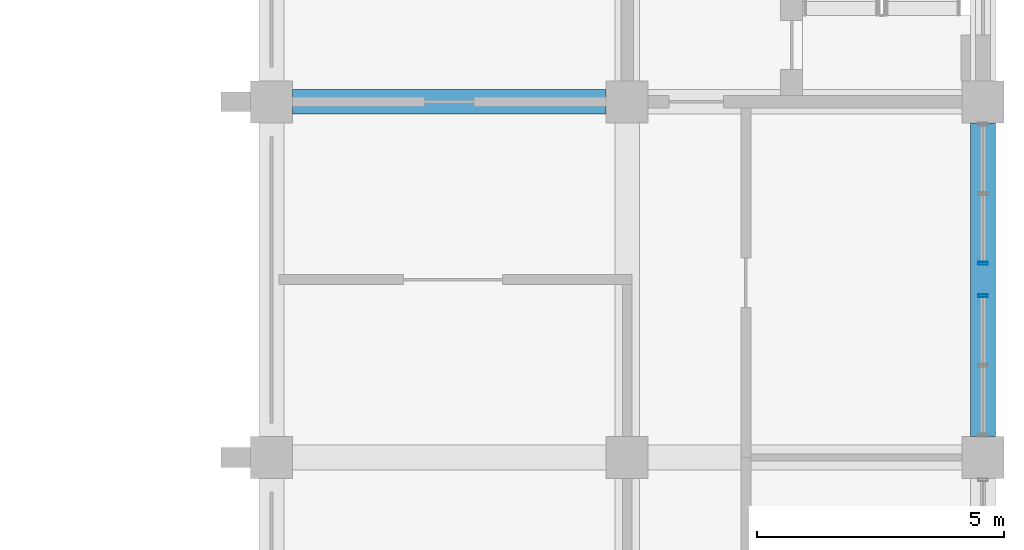
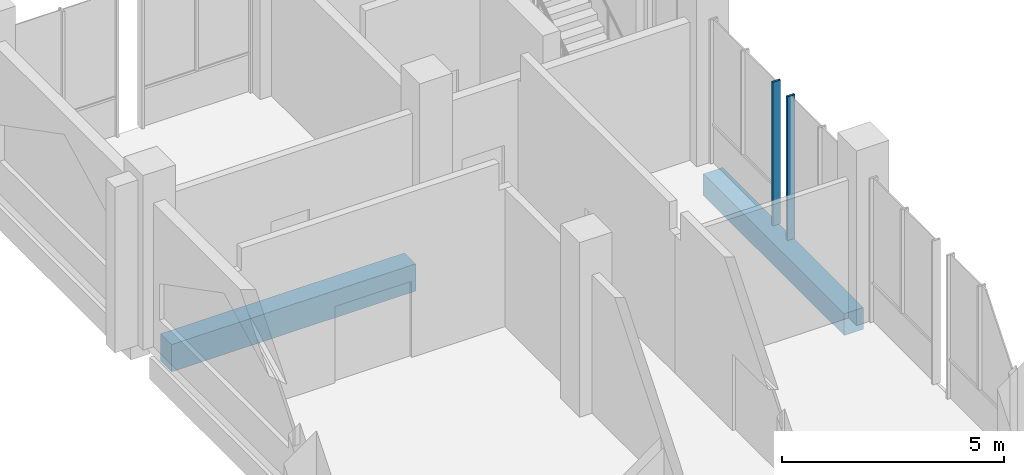
# One storey, part 21 of 40: 2 beams, 2 members, 2 elements without a shape of their own.
"""IFC4 building model written with IfcOpenShell, lengths in metres."""

from ifc_helpers import new_model, si_unit, direction, frame, origin, origin_2d, place, context, subcontext, project, spatial, rectangle, hollow_rectangle, extrude, material, material_profile, profile_set, type_object, element, aggregate, save


model = new_model("IFC4")

# Units and contexts
model_context = context("Model", 3, precision=1e-05, world=origin(), true_north=direction((0.0, 1.0)))
body_context = subcontext(model_context, "Body", "Model", "MODEL_VIEW")
ifc_project = project(units=[si_unit("LENGTHUNIT", "METRE"), si_unit("AREAUNIT", "SQUARE_METRE"), si_unit("VOLUMEUNIT", "CUBIC_METRE"), si_unit("PLANEANGLEUNIT", "RADIAN"), si_unit("MASSUNIT", "GRAM", prefix="KILO")], contexts=[model_context])

# Site, building, storey
site_placement = place(None, origin())
site = spatial("IfcSite", under=ifc_project, at=site_placement, CompositionType="ELEMENT")
building_placement = place(site_placement, origin())
building = spatial("IfcBuilding", under=site, at=building_placement, Name="Silangan Lancet Faculty of Sciences", CompositionType="ELEMENT")
storey_placement = place(building_placement, frame((0.0, 0.0, 16.800048828125)))
storey = spatial("IfcBuildingStorey", under=building, at=storey_placement, Name="L03", CompositionType="ELEMENT", Elevation=16.800048828125)

# Beams
ifc_material_1 = material(Name="Concrete C40/50", Category="concrete")
ifc_material_profile_1 = material_profile(ifc_material_1, rectangle(XDim=0.5, YDim=0.60009765625, at=origin_2d()), Name="RC 500x600")
ifc_profile_set_1 = profile_set([ifc_material_profile_1], Name="Concrete C40/50")
beam_type_1 = type_object("IfcBeamType", Name="BEAM RC 500x600", PredefinedType="BEAM", material=ifc_profile_set_1)
beam_1_placement = place(storey_placement, frame((86.39990234375, 43.625, -0.550048828125), z_axis=(0.0, 1.0, 0.0), x_axis=(-1.0, 0.0, 0.0)))
element("IfcBeam", 1, at=beam_1_placement, inside=storey, type_object=beam_type_1, Name="BM-L03-13G-13H", PredefinedType="BEAM", context=body_context, shape_type="SweptSolid", body=[
    extrude(rectangle(XDim=0.5, YDim=0.60009765625, at=origin_2d()), origin(), (0.0, 0.0, 1.0), 6.35009765625),
])
ifc_material_2 = material(Name="Concrete C40/50", Category="concrete")
ifc_material_profile_2 = material_profile(ifc_material_2, rectangle(XDim=0.5, YDim=0.75, at=origin_2d()), Name="RC 500x750")
ifc_profile_set_2 = profile_set([ifc_material_profile_2], Name="Concrete C40/50")
beam_type_2 = type_object("IfcBeamType", Name="BEAM RC 500x750", PredefinedType="BEAM", material=ifc_profile_set_2)
beam_2_placement = place(storey_placement, frame((72.425048828125, 50.39990234375, -0.625), z_axis=(1.0, 0.0, 0.0), x_axis=(0.0, 1.0, 0.0)))
element("IfcBeam", 2, at=beam_2_placement, inside=storey, type_object=beam_type_2, Name="BM-L03-11H-12H", PredefinedType="BEAM", context=body_context, shape_type="SweptSolid", body=[
    extrude(rectangle(XDim=0.5, YDim=0.75, at=origin_2d()), origin(), (0.0, 0.0, 1.0), 6.349853515625),
])

# Curtain wall, member
ifc_material_3 = material(Name="Aluminium framed curtain wall with insulated glass", Category="aluminium")
curtain_wall_type = type_object("IfcCurtainWallType", Name="CW1 Commons and east block glazing", PredefinedType="NOTDEFINED", material=ifc_material_3)
curtain_wall_1_placement = place(storey_placement, origin())
curtain_wall_1 = element("IfcCurtainWall", 3, at=curtain_wall_1_placement, inside=storey, type_object=curtain_wall_type, Name="CW1 East commons L03 bay 11", PredefinedType="NOTDEFINED")
ifc_material_4 = material(Name="Aluminium 6063-T6 extrusion", Category="aluminium")
ifc_material_profile_3 = material_profile(ifc_material_4, hollow_rectangle(XDim=0.06005859375, YDim=0.199951171875, WallThickness=0.00390625, at=origin_2d()), Name="AL BOX 60x200x4")
ifc_profile_set_3 = profile_set([ifc_material_profile_3], Name="Aluminium 6063-T6 extrusion")
member_type = type_object("IfcMemberType", Name="CM1 Mullion 60x200", PredefinedType="MULLION", material=ifc_profile_set_3)
member_1_placement = place(storey_placement, frame((86.39990234375, 46.469970703125, 0.0), z_axis=(0.0, 0.0, 1.0), x_axis=(0.0, 1.0, 0.0)))
member_1 = element("IfcMember", 4, at=member_1_placement, type_object=member_type, Name="CW1 East commons L03 bay 11 mullion 2", PredefinedType="MULLION", context=body_context, shape_type="SweptSolid", body=[
    extrude(hollow_rectangle(XDim=0.06005859375, YDim=0.199951171875, WallThickness=0.00390625, at=origin_2d()), origin(), (0.0, 0.0, 1.0), 3.949951171875),
])
aggregate(curtain_wall_1, [member_1])

curtain_wall_2_placement = place(storey_placement, origin())
curtain_wall_2 = element("IfcCurtainWall", 5, at=curtain_wall_2_placement, inside=storey, type_object=curtain_wall_type, Name="CW1 East commons L03 bay 12", PredefinedType="NOTDEFINED")
member_2_placement = place(storey_placement, frame((86.39990234375, 47.1298828125, 0.0), z_axis=(0.0, 0.0, 1.0), x_axis=(0.0, 1.0, 0.0)))
member_2 = element("IfcMember", 6, at=member_2_placement, type_object=member_type, Name="CW1 East commons L03 bay 12 mullion 1", PredefinedType="MULLION", context=body_context, shape_type="SweptSolid", body=[
    extrude(hollow_rectangle(XDim=0.06005859375, YDim=0.199951171875, WallThickness=0.00390625, at=origin_2d()), origin(), (0.0, 0.0, 1.0), 3.949951171875),
])
aggregate(curtain_wall_2, [member_2])

save(model, "model.ifc")
